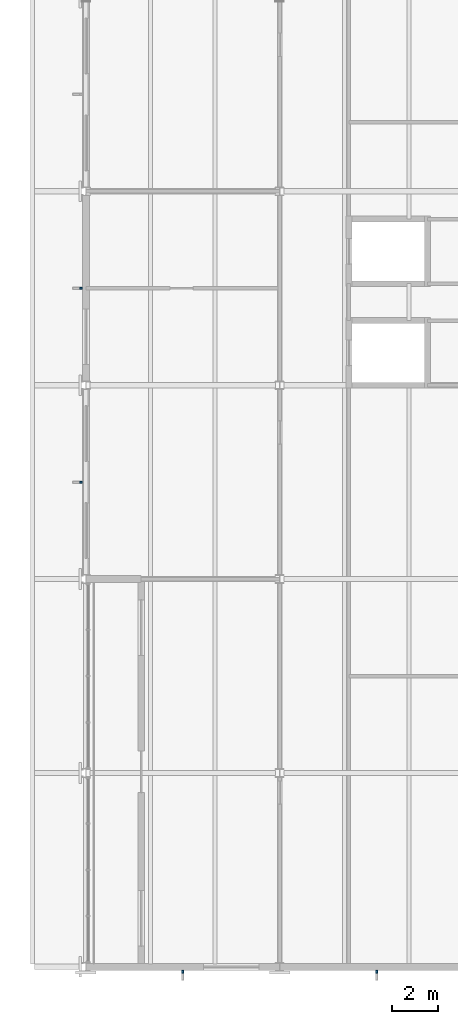
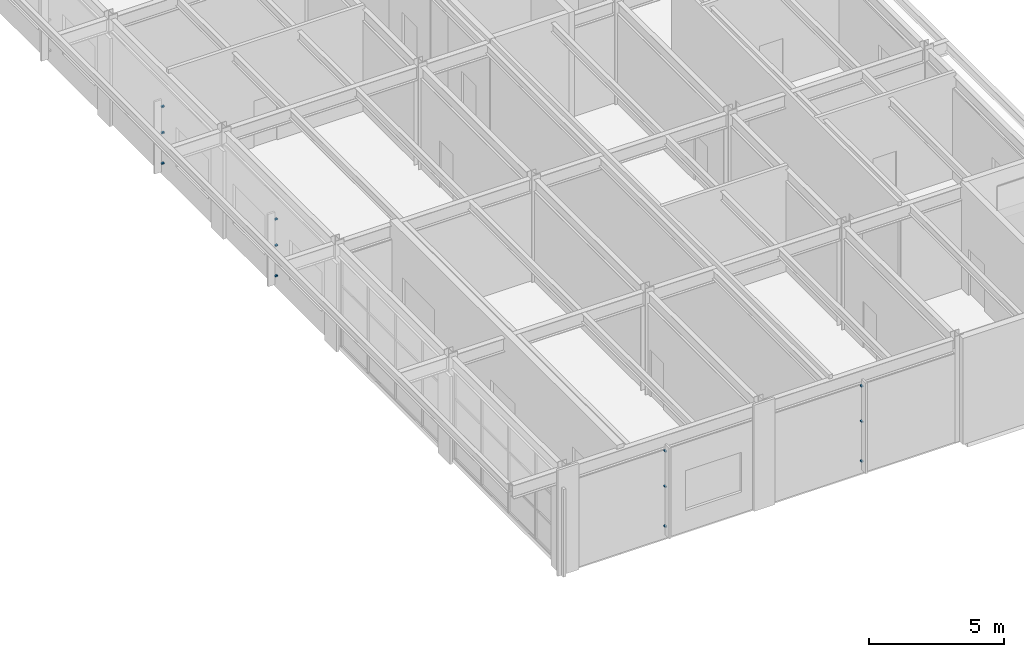
# One storey, part 87 of 116: 12 discrete accessories.
"""IFC4 building model written with IfcOpenShell, lengths in metres."""

import ifcopenshell
import ifcopenshell.guid

model = None  # the IFC model being written
_history = None  # IfcOwnerHistory: only IFC2X3 demands one
_inside = {}  # id of a spatial element -> (the spatial element, [elements in it])
_under = {}  # id of a project, library or spatial element -> (it, [spatial elements below it])
_declared = {}  # id of a project -> (the project, [libraries it declares])
_typed = {}  # id of a type object -> (the type object, [elements of that type])
_made_of = {}  # id of a material, layer set ... -> (it, [elements and type objects made of it])


def new_model(schema):
    """Start an empty IFC model of exactly this schema.

    Asked for "IFC4X3", IfcOpenShell would pick the latest addendum, in which some entities
    have other attributes; the version numbers below select the first issue.
    IFC2X3 requires an IfcOwnerHistory on every rooted entity: one is made here for all.
    """
    global model, _history
    if schema == "IFC4X3":
        model = ifcopenshell.file(schema_version=(4, 3, 0, 0))
    else:
        model = ifcopenshell.file(schema=schema)
    _inside.clear()
    _under.clear()
    _declared.clear()
    _typed.clear()
    _made_of.clear()
    _history = None
    if model.schema == "IFC2X3":
        org = make("IfcOrganization", Name="unknown")
        user = make(
            "IfcPersonAndOrganization",
            ThePerson=make("IfcPerson", FamilyName="unknown"),
            TheOrganization=org,
        )
        app = make(
            "IfcApplication",
            ApplicationDeveloper=org,
            Version="unknown",
            ApplicationFullName="unknown",
            ApplicationIdentifier="unknown",
        )
        _history = make(
            "IfcOwnerHistory",
            OwningUser=user,
            OwningApplication=app,
            ChangeAction="ADDED",
            CreationDate=0,
        )
    return model


def make(cls, **values):
    """One entity of the class cls with the attributes given. An attribute that is None is left unset."""
    return model.create_entity(
        cls, **{name: value for name, value in values.items() if value is not None}
    )


def rooted(cls, **values):
    """An entity with a GlobalId (a new one), such as an element, a storey or a relation."""
    return make(cls, GlobalId=ifcopenshell.guid.new(), OwnerHistory=_history, **values)


def si_unit(unit_type, name, prefix=None):
    """IfcSIUnit, for example si_unit("LENGTHUNIT", "METRE", prefix="MILLI")."""
    return make("IfcSIUnit", UnitType=unit_type, Prefix=prefix, Name=name)


def assignment(units):
    """IfcUnitAssignment: the units of a project."""
    return None if units is None else make("IfcUnitAssignment", Units=units)


def point(xyz):
    """IfcCartesianPoint."""
    return None if xyz is None else make("IfcCartesianPoint", Coordinates=xyz)


def direction(xyz):
    """IfcDirection."""
    return None if xyz is None else make("IfcDirection", DirectionRatios=xyz)


def frame(location, z_axis=None, x_axis=None):
    """IfcAxis2Placement3D, a coordinate frame: its origin and axes. An axis left out is left unset."""
    return make(
        "IfcAxis2Placement3D",
        Location=point(location),
        Axis=direction(z_axis),
        RefDirection=direction(x_axis),
    )


def frame_2d(location, x_axis=None):
    """IfcAxis2Placement2D, a coordinate frame in the plane: its origin and x axis."""
    return make(
        "IfcAxis2Placement2D", Location=point(location), RefDirection=direction(x_axis)
    )


def origin():
    """The frame at (0, 0, 0) with its axes left unset."""
    return frame((0.0, 0.0, 0.0))


def origin_2d():
    """The frame at (0, 0) in the plane with its x axis left unset."""
    return frame_2d((0.0, 0.0))


def place(relative_to, where):
    """IfcLocalPlacement: puts the frame where relative to a parent placement (None: the world)."""
    return make(
        "IfcLocalPlacement", PlacementRelTo=relative_to, RelativePlacement=where
    )


def context(
    kind, dimensions, precision=None, world=None, true_north=None, identifier=None
):
    """IfcGeometricRepresentationContext, for example the 3D "Model" context."""
    return make(
        "IfcGeometricRepresentationContext",
        ContextIdentifier=identifier,
        ContextType=kind,
        CoordinateSpaceDimension=dimensions,
        Precision=precision,
        WorldCoordinateSystem=world,
        TrueNorth=true_north,
    )


def subcontext(parent, identifier, kind, view, scale=None):
    """IfcGeometricRepresentationSubContext, for example "Body" below "Model"."""
    return make(
        "IfcGeometricRepresentationSubContext",
        ContextIdentifier=identifier,
        ContextType=kind,
        ParentContext=parent,
        TargetScale=scale,
        TargetView=view,
    )


def project(units=None, contexts=None):
    """IfcProject with its units and contexts."""
    return rooted(
        "IfcProject",
        Name="project",
        RepresentationContexts=contexts,
        UnitsInContext=assignment(units),
    )


def spatial(cls, under=None, at=None, **own):
    """A site, building, storey or space (cls), placed at a placement, below another one or the project."""
    s = rooted(cls, ObjectPlacement=at, **own)
    if under is not None:
        _under.setdefault(under.id(), (under, []))[1].append(s)
    return s


def profile(cls, at=None, kind="AREA", **sizes):
    """A parametric profile (cls). Its sizes go by their IFC names, for example OverallWidth=200.0."""
    return make(cls, ProfileType=kind, Position=at, **sizes)


def rectangle(**sizes):
    """IfcRectangleProfileDef."""
    return profile("IfcRectangleProfileDef", **sizes)


def extrude(swept, where, along, depth):
    """IfcExtrudedAreaSolid: the profile swept, set in the frame where, extruded along a direction by depth."""
    return make(
        "IfcExtrudedAreaSolid",
        SweptArea=swept,
        Position=where,
        ExtrudedDirection=direction(along),
        Depth=depth,
    )


def shape(context_of_items, identifier, shape_type, items):
    """IfcShapeRepresentation: the items that make up one representation, for example the "Body"."""
    return make(
        "IfcShapeRepresentation",
        ContextOfItems=context_of_items,
        RepresentationIdentifier=identifier,
        RepresentationType=shape_type,
        Items=items,
    )


def material(Name=None, Category=None):
    """IfcMaterial."""
    return make("IfcMaterial", Name=Name, Category=Category)


def made_of(thing, what):
    """Note that an element or type object is made of a material, layer set ...; save() writes the relation."""
    if what is not None:
        _made_of.setdefault(what.id(), (what, []))[1].append(thing)
    return thing


def type_object(cls, material=None, **own):
    """A type object (cls), such as IfcWallType, which elements share."""
    return made_of(rooted(cls, **own), material)


def element(
    cls,
    number,
    at=None,
    inside=None,
    cuts=None,
    type_object=None,
    material=None,
    context=None,
    identifier="Body",
    shape_type=None,
    held_by="IfcProductDefinitionShape",
    body=None,
    shapes=None,
    **own,
):
    """One element of the class cls, such as IfcWall. Its Tag is "e" and its number.

    at: its placement. inside: the storey or other place that contains it. cuts: it is an
    opening in that element (IfcRelVoidsElement). A single representation is given by context,
    identifier, shape_type and body (its items); several are given by shapes. held_by: the class
    of the entity that holds the representations. save() writes the other relations.
    """
    e = rooted(cls, Tag="e%d" % number, ObjectPlacement=at, **own)
    if body is not None:
        shapes = [shape(context, identifier, shape_type, body)]
    if shapes is not None:
        e.Representation = make(held_by, Representations=shapes)
    if inside is not None:
        _inside.setdefault(inside.id(), (inside, []))[1].append(e)
    if cuts is not None:
        rooted(
            "IfcRelVoidsElement", RelatingBuildingElement=cuts, RelatedOpeningElement=e
        )
    if type_object is not None:
        _typed.setdefault(type_object.id(), (type_object, []))[1].append(e)
    return made_of(e, material)


def aggregate(whole, parts):
    """IfcRelAggregates: a whole, such as a stair, and the parts it consists of."""
    return rooted("IfcRelAggregates", RelatingObject=whole, RelatedObjects=parts)


def save(model, path):
    """Write the relations noted so far, then the file.

    IfcRelAggregates (storeys below a building ...), IfcRelContainedInSpatialStructure (elements
    in a storey), IfcRelDefinesByType, IfcRelAssociatesMaterial and IfcRelDeclares: one each for
    every whole, place, type object, material and project.
    """
    for whole, parts in _under.values():
        aggregate(whole, parts)
    for where, things in _inside.values():
        rooted(
            "IfcRelContainedInSpatialStructure",
            RelatedElements=things,
            RelatingStructure=where,
        )
    for kind, things in _typed.values():
        rooted("IfcRelDefinesByType", RelatedObjects=things, RelatingType=kind)
    for what, things in _made_of.values():
        rooted("IfcRelAssociatesMaterial", RelatedObjects=things, RelatingMaterial=what)
    for by, libraries in _declared.values():
        rooted("IfcRelDeclares", RelatingContext=by, RelatedDefinitions=libraries)
    model.write(path)


model = new_model("IFC4")

# Units and contexts
model_context = context("Model", 3, precision=1e-05, world=origin(), true_north=direction((0.0, 1.0)))
body_context = subcontext(model_context, "Body", "Model", "MODEL_VIEW")
ifc_project = project(units=[si_unit("LENGTHUNIT", "METRE"), si_unit("AREAUNIT", "SQUARE_METRE"), si_unit("VOLUMEUNIT", "CUBIC_METRE"), si_unit("PLANEANGLEUNIT", "RADIAN"), si_unit("MASSUNIT", "GRAM", prefix="KILO")], contexts=[model_context])

# Site, building, storey
site_placement = place(None, origin())
site = spatial("IfcSite", under=ifc_project, at=site_placement, CompositionType="ELEMENT")
building_placement = place(site_placement, origin())
building = spatial("IfcBuilding", under=site, at=building_placement, Name="Ljudholm Concert House", CompositionType="ELEMENT")
storey_placement = place(building_placement, frame((0.0, 0.0, 10.199951171875)))
storey = spatial("IfcBuildingStorey", under=building, at=storey_placement, Name="L02", CompositionType="ELEMENT", Elevation=10.199951171875)

# Discrete accessories
ifc_material = material(Name="Stainless steel bracket", Category="steel")
discrete_accessory_type = type_object("IfcDiscreteAccessoryType", Name="BRACKET 120", PredefinedType="BRACKET", material=ifc_material)
for number, where, z_axis, x_axis, name in (
    (1, (100.60009765625, 3.7900390625, 0.570068359375), (0.0, 0.0, 1.0), (0.0, -1.0, 0.0), "Fin bracket"),
    (2, (100.60009765625, 3.7900390625, 2.3701171875), (0.0, 0.0, 1.0), (0.0, -1.0, 0.0), "Fin bracket"),
    (3, (100.60009765625, 3.7900390625, 3.969970703125), (0.0, 0.0, 1.0), (0.0, -1.0, 0.0), "Fin bracket"),
    (4, (109.0, 3.7900390625, 0.570068359375), (0.0, 0.0, 1.0), (0.0, -1.0, 0.0), "Fin bracket"),
    (5, (109.0, 3.7900390625, 2.3701171875), (0.0, 0.0, 1.0), (0.0, -1.0, 0.0), "Fin bracket"),
    (6, (109.0, 3.7900390625, 3.969970703125), (0.0, 0.0, 1.0), (0.0, -1.0, 0.0), "Fin bracket"),
    (7, (96.18994140625, 25.0, 0.570068359375), (0.0, 0.0, 1.0), (-1.0, 0.0, 0.0), "Fin bracket"),
    (8, (96.18994140625, 25.0, 1.955078125), (0.0, 0.0, 1.0), (-1.0, 0.0, 0.0), "Fin bracket"),
    (9, (96.18994140625, 25.0, 3.14013671875), (0.0, 0.0, 1.0), (-1.0, 0.0, 0.0), "Fin bracket"),
    (10, (96.18994140625, 33.39990234375, 0.570068359375), (0.0, 0.0, 1.0), (-1.0, 0.0, 0.0), "Fin bracket"),
    (11, (96.18994140625, 33.39990234375, 1.955078125), (0.0, 0.0, 1.0), (-1.0, 0.0, 0.0), "Fin bracket"),
    (12, (96.18994140625, 33.39990234375, 3.14013671875), (0.0, 0.0, 1.0), (-1.0, 0.0, 0.0), "Fin bracket"),
):
    element("IfcDiscreteAccessory", number, at=place(storey_placement, frame(where, z_axis=z_axis, x_axis=x_axis)), inside=storey, type_object=discrete_accessory_type, Name=name, PredefinedType="BRACKET", context=body_context, shape_type="SweptSolid", body=[
        extrude(rectangle(XDim=0.1201171875, YDim=0.080078125, at=origin_2d()), origin(), (0.0, 0.0, 1.0), 0.06005859375),
    ])

save(model, "model.ifc")
